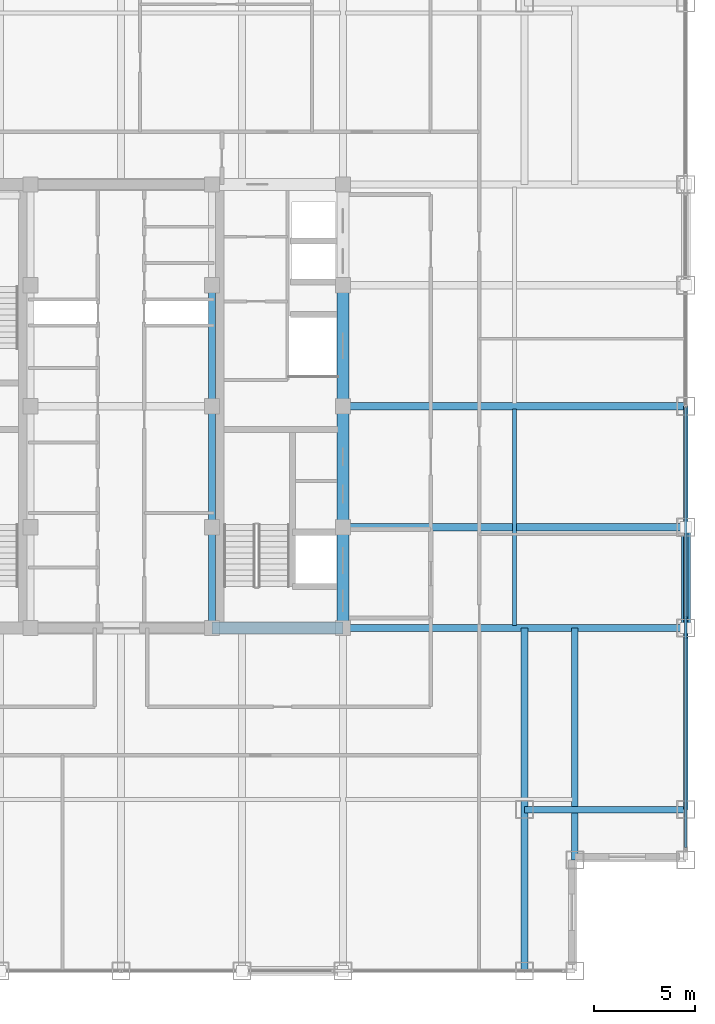
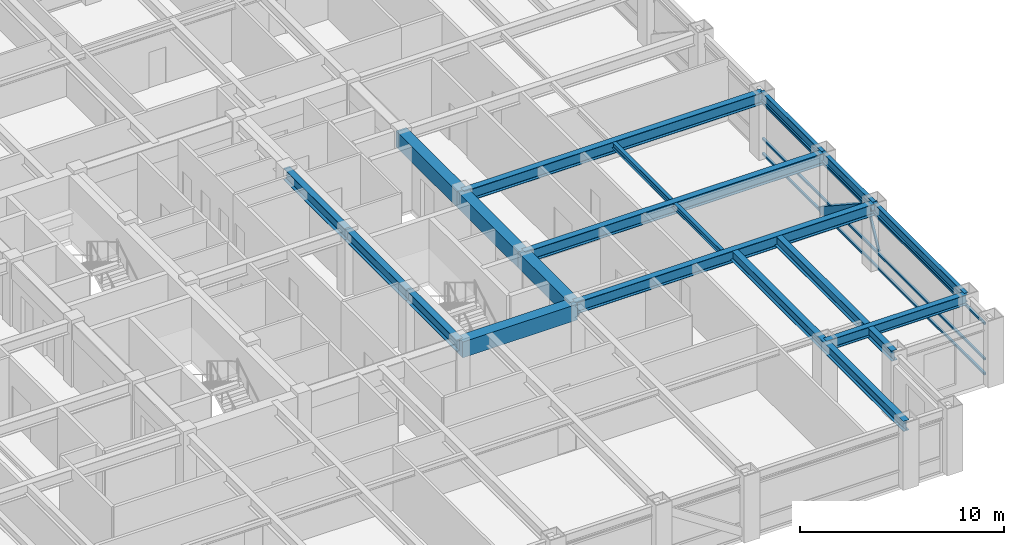
# One storey, part 9 of 22: 17 beams, 5 members, 1 element without a shape of its own.
"""IFC4 building model written with IfcOpenShell, lengths in metres."""

import ifcopenshell
import ifcopenshell.guid

model = None  # the IFC model being written
_history = None  # IfcOwnerHistory: only IFC2X3 demands one
_inside = {}  # id of a spatial element -> (the spatial element, [elements in it])
_under = {}  # id of a project, library or spatial element -> (it, [spatial elements below it])
_declared = {}  # id of a project -> (the project, [libraries it declares])
_typed = {}  # id of a type object -> (the type object, [elements of that type])
_made_of = {}  # id of a material, layer set ... -> (it, [elements and type objects made of it])


def new_model(schema):
    """Start an empty IFC model of exactly this schema.

    Asked for "IFC4X3", IfcOpenShell would pick the latest addendum, in which some entities
    have other attributes; the version numbers below select the first issue.
    IFC2X3 requires an IfcOwnerHistory on every rooted entity: one is made here for all.
    """
    global model, _history
    if schema == "IFC4X3":
        model = ifcopenshell.file(schema_version=(4, 3, 0, 0))
    else:
        model = ifcopenshell.file(schema=schema)
    _inside.clear()
    _under.clear()
    _declared.clear()
    _typed.clear()
    _made_of.clear()
    _history = None
    if model.schema == "IFC2X3":
        org = make("IfcOrganization", Name="unknown")
        user = make(
            "IfcPersonAndOrganization",
            ThePerson=make("IfcPerson", FamilyName="unknown"),
            TheOrganization=org,
        )
        app = make(
            "IfcApplication",
            ApplicationDeveloper=org,
            Version="unknown",
            ApplicationFullName="unknown",
            ApplicationIdentifier="unknown",
        )
        _history = make(
            "IfcOwnerHistory",
            OwningUser=user,
            OwningApplication=app,
            ChangeAction="ADDED",
            CreationDate=0,
        )
    return model


def make(cls, **values):
    """One entity of the class cls with the attributes given. An attribute that is None is left unset."""
    return model.create_entity(
        cls, **{name: value for name, value in values.items() if value is not None}
    )


def rooted(cls, **values):
    """An entity with a GlobalId (a new one), such as an element, a storey or a relation."""
    return make(cls, GlobalId=ifcopenshell.guid.new(), OwnerHistory=_history, **values)


def si_unit(unit_type, name, prefix=None):
    """IfcSIUnit, for example si_unit("LENGTHUNIT", "METRE", prefix="MILLI")."""
    return make("IfcSIUnit", UnitType=unit_type, Prefix=prefix, Name=name)


def assignment(units):
    """IfcUnitAssignment: the units of a project."""
    return None if units is None else make("IfcUnitAssignment", Units=units)


def point(xyz):
    """IfcCartesianPoint."""
    return None if xyz is None else make("IfcCartesianPoint", Coordinates=xyz)


def direction(xyz):
    """IfcDirection."""
    return None if xyz is None else make("IfcDirection", DirectionRatios=xyz)


def frame(location, z_axis=None, x_axis=None):
    """IfcAxis2Placement3D, a coordinate frame: its origin and axes. An axis left out is left unset."""
    return make(
        "IfcAxis2Placement3D",
        Location=point(location),
        Axis=direction(z_axis),
        RefDirection=direction(x_axis),
    )


def frame_2d(location, x_axis=None):
    """IfcAxis2Placement2D, a coordinate frame in the plane: its origin and x axis."""
    return make(
        "IfcAxis2Placement2D", Location=point(location), RefDirection=direction(x_axis)
    )


def origin():
    """The frame at (0, 0, 0) with its axes left unset."""
    return frame((0.0, 0.0, 0.0))


def origin_2d():
    """The frame at (0, 0) in the plane with its x axis left unset."""
    return frame_2d((0.0, 0.0))


def place(relative_to, where):
    """IfcLocalPlacement: puts the frame where relative to a parent placement (None: the world)."""
    return make(
        "IfcLocalPlacement", PlacementRelTo=relative_to, RelativePlacement=where
    )


def context(
    kind, dimensions, precision=None, world=None, true_north=None, identifier=None
):
    """IfcGeometricRepresentationContext, for example the 3D "Model" context."""
    return make(
        "IfcGeometricRepresentationContext",
        ContextIdentifier=identifier,
        ContextType=kind,
        CoordinateSpaceDimension=dimensions,
        Precision=precision,
        WorldCoordinateSystem=world,
        TrueNorth=true_north,
    )


def subcontext(parent, identifier, kind, view, scale=None):
    """IfcGeometricRepresentationSubContext, for example "Body" below "Model"."""
    return make(
        "IfcGeometricRepresentationSubContext",
        ContextIdentifier=identifier,
        ContextType=kind,
        ParentContext=parent,
        TargetScale=scale,
        TargetView=view,
    )


def project(units=None, contexts=None):
    """IfcProject with its units and contexts."""
    return rooted(
        "IfcProject",
        Name="project",
        RepresentationContexts=contexts,
        UnitsInContext=assignment(units),
    )


def spatial(cls, under=None, at=None, **own):
    """A site, building, storey or space (cls), placed at a placement, below another one or the project."""
    s = rooted(cls, ObjectPlacement=at, **own)
    if under is not None:
        _under.setdefault(under.id(), (under, []))[1].append(s)
    return s


def profile(cls, at=None, kind="AREA", **sizes):
    """A parametric profile (cls). Its sizes go by their IFC names, for example OverallWidth=200.0."""
    return make(cls, ProfileType=kind, Position=at, **sizes)


def rectangle(**sizes):
    """IfcRectangleProfileDef."""
    return profile("IfcRectangleProfileDef", **sizes)


def hollow_rectangle(**sizes):
    """IfcRectangleHollowProfileDef."""
    return profile("IfcRectangleHollowProfileDef", **sizes)


def i_section(**sizes):
    """IfcIShapeProfileDef."""
    return profile("IfcIShapeProfileDef", **sizes)


def extrude(swept, where, along, depth):
    """IfcExtrudedAreaSolid: the profile swept, set in the frame where, extruded along a direction by depth."""
    return make(
        "IfcExtrudedAreaSolid",
        SweptArea=swept,
        Position=where,
        ExtrudedDirection=direction(along),
        Depth=depth,
    )


def shape(context_of_items, identifier, shape_type, items):
    """IfcShapeRepresentation: the items that make up one representation, for example the "Body"."""
    return make(
        "IfcShapeRepresentation",
        ContextOfItems=context_of_items,
        RepresentationIdentifier=identifier,
        RepresentationType=shape_type,
        Items=items,
    )


def source(mapping_origin, context_of_items, identifier, shape_type, items):
    """IfcRepresentationMap: a shape defined once, which mapped items show again and again."""
    return make(
        "IfcRepresentationMap",
        MappingOrigin=mapping_origin,
        MappedRepresentation=shape(context_of_items, identifier, shape_type, items),
    )


def transform(
    local_origin,
    x_axis=None,
    y_axis=None,
    z_axis=None,
    scale=None,
    scale2=None,
    scale3=None,
    uniform=True,
):
    """IfcCartesianTransformationOperator3D, or its non-uniform kind. x_axis, y_axis, z_axis: its Axis1, 2, 3."""
    if uniform:
        return make(
            "IfcCartesianTransformationOperator3D",
            Axis1=direction(x_axis),
            Axis2=direction(y_axis),
            LocalOrigin=point(local_origin),
            Scale=scale,
            Axis3=direction(z_axis),
        )
    return make(
        "IfcCartesianTransformationOperator3DnonUniform",
        Axis1=direction(x_axis),
        Axis2=direction(y_axis),
        LocalOrigin=point(local_origin),
        Scale=scale,
        Axis3=direction(z_axis),
        Scale2=scale2,
        Scale3=scale3,
    )


def mapped(mapping_source, mapping_target):
    """IfcMappedItem: shows the shape of a source again, moved by a transform."""
    return make(
        "IfcMappedItem", MappingSource=mapping_source, MappingTarget=mapping_target
    )


def material(Name=None, Category=None):
    """IfcMaterial."""
    return make("IfcMaterial", Name=Name, Category=Category)


def material_profile(
    of_material, cross_section, Name=None, Category=None, Priority=None
):
    """IfcMaterialProfile: a cross section and its material."""
    return make(
        "IfcMaterialProfile",
        Name=Name,
        Material=of_material,
        Profile=cross_section,
        Priority=Priority,
        Category=Category,
    )


def profile_set(profiles, Name=None, composite=None):
    """IfcMaterialProfileSet."""
    return make(
        "IfcMaterialProfileSet",
        Name=Name,
        MaterialProfiles=profiles,
        CompositeProfile=composite,
    )


def made_of(thing, what):
    """Note that an element or type object is made of a material, layer set ...; save() writes the relation."""
    if what is not None:
        _made_of.setdefault(what.id(), (what, []))[1].append(thing)
    return thing


def type_object(cls, material=None, **own):
    """A type object (cls), such as IfcWallType, which elements share."""
    return made_of(rooted(cls, **own), material)


def element(
    cls,
    number,
    at=None,
    inside=None,
    cuts=None,
    type_object=None,
    material=None,
    context=None,
    identifier="Body",
    shape_type=None,
    held_by="IfcProductDefinitionShape",
    body=None,
    shapes=None,
    **own,
):
    """One element of the class cls, such as IfcWall. Its Tag is "e" and its number.

    at: its placement. inside: the storey or other place that contains it. cuts: it is an
    opening in that element (IfcRelVoidsElement). A single representation is given by context,
    identifier, shape_type and body (its items); several are given by shapes. held_by: the class
    of the entity that holds the representations. save() writes the other relations.
    """
    e = rooted(cls, Tag="e%d" % number, ObjectPlacement=at, **own)
    if body is not None:
        shapes = [shape(context, identifier, shape_type, body)]
    if shapes is not None:
        e.Representation = make(held_by, Representations=shapes)
    if inside is not None:
        _inside.setdefault(inside.id(), (inside, []))[1].append(e)
    if cuts is not None:
        rooted(
            "IfcRelVoidsElement", RelatingBuildingElement=cuts, RelatedOpeningElement=e
        )
    if type_object is not None:
        _typed.setdefault(type_object.id(), (type_object, []))[1].append(e)
    return made_of(e, material)


def aggregate(whole, parts):
    """IfcRelAggregates: a whole, such as a stair, and the parts it consists of."""
    return rooted("IfcRelAggregates", RelatingObject=whole, RelatedObjects=parts)


def save(model, path):
    """Write the relations noted so far, then the file.

    IfcRelAggregates (storeys below a building ...), IfcRelContainedInSpatialStructure (elements
    in a storey), IfcRelDefinesByType, IfcRelAssociatesMaterial and IfcRelDeclares: one each for
    every whole, place, type object, material and project.
    """
    for whole, parts in _under.values():
        aggregate(whole, parts)
    for where, things in _inside.values():
        rooted(
            "IfcRelContainedInSpatialStructure",
            RelatedElements=things,
            RelatingStructure=where,
        )
    for kind, things in _typed.values():
        rooted("IfcRelDefinesByType", RelatedObjects=things, RelatingType=kind)
    for what, things in _made_of.values():
        rooted("IfcRelAssociatesMaterial", RelatedObjects=things, RelatingMaterial=what)
    for by, libraries in _declared.values():
        rooted("IfcRelDeclares", RelatingContext=by, RelatedDefinitions=libraries)
    model.write(path)


model = new_model("IFC4")

# Units and contexts
model_context = context("Model", 3, precision=1e-05, world=origin(), true_north=direction((0.0, 1.0)))
body_context = subcontext(model_context, "Body", "Model", "MODEL_VIEW")
ifc_project = project(units=[si_unit("LENGTHUNIT", "METRE"), si_unit("AREAUNIT", "SQUARE_METRE"), si_unit("VOLUMEUNIT", "CUBIC_METRE"), si_unit("PLANEANGLEUNIT", "RADIAN"), si_unit("MASSUNIT", "GRAM", prefix="KILO")], contexts=[model_context])

# Site, building, storey
site_placement = place(None, origin())
site = spatial("IfcSite", under=ifc_project, at=site_placement, CompositionType="ELEMENT")
building_placement = place(site_placement, origin())
building = spatial("IfcBuilding", under=site, at=building_placement, Name="Khorayat Bourse Tower", CompositionType="ELEMENT")
storey_placement = place(building_placement, frame((0.0, 0.0, 305.5)))
storey = spatial("IfcBuildingStorey", under=building, at=storey_placement, Name="L72", CompositionType="ELEMENT", Elevation=305.5)

# Beams
ifc_material_1 = material(Name="Steel ASTM A992 Grade 50", Category="steel")
ifc_material_profile_1 = material_profile(ifc_material_1, i_section(OverallWidth=0.35498046875, OverallDepth=0.695068359375, WebThickness=0.015380859375, FlangeThickness=0.02490234375, FilletRadius=0.01806640625, at=origin_2d()), Name="W690X217")
ifc_profile_set_1 = profile_set([ifc_material_profile_1], Name="Steel ASTM A992 Grade 50")
beam_type_1 = type_object("IfcBeamType", Name="BM-GIRD-690", PredefinedType="BEAM", material=ifc_profile_set_1)
shared_shape_1 = source(origin(), body_context, "Body", "SweptSolid", [
    extrude(i_section(OverallWidth=0.35498046875, OverallDepth=0.695068359375, WebThickness=0.015380859375, FlangeThickness=0.02490234375, FilletRadius=0.01806640625, at=origin_2d()), origin(), (0.0, 0.0, 1.0), 5.0),
])
beam_1_placement = place(storey_placement, frame((4.5, -11.0, 3.4326171875), z_axis=(0.0, 1.0, 0.0), x_axis=(-1.0, 0.0, 0.0)))
element("IfcBeam", 1, at=beam_1_placement, inside=storey, type_object=beam_type_1, Name="L72 BM-GIRD-690 BM-L72-CRX-09", PredefinedType="BEAM", context=body_context, shape_type="MappedRepresentation", body=[
    mapped(shared_shape_1, transform((0.0, 0.0, 0.0), scale=1.0)),
])
shared_shape_2 = source(origin(), body_context, "Body", "SweptSolid", [
    extrude(i_section(OverallWidth=0.35498046875, OverallDepth=0.695068359375, WebThickness=0.015380859375, FlangeThickness=0.02490234375, FilletRadius=0.01806640625, at=origin_2d()), origin(), (0.0, 0.0, 1.0), 6.0),
])
for number, where, z_axis, x_axis, name in (
    (2, (4.5, -6.0, 3.4326171875), (0.0, 1.0, 0.0), (-1.0, 0.0, 0.0), "L72 BM-GIRD-690 BM-L72-CRX-10"),
    (3, (4.5, 0.0, 3.4326171875), (0.0, 1.0, 0.0), (-1.0, 0.0, 0.0), "L72 BM-GIRD-690 BM-L72-CRX-11"),
):
    element("IfcBeam", number, at=place(storey_placement, frame(where, z_axis=z_axis, x_axis=x_axis)), inside=storey, type_object=beam_type_1, Name=name, PredefinedType="BEAM", context=body_context, shape_type="MappedRepresentation", body=[
        mapped(shared_shape_2, transform((0.0, 0.0, 0.0), scale=1.0)),
    ])
ifc_material_profile_2 = material_profile(ifc_material_1, i_section(OverallWidth=0.324951171875, OverallDepth=0.615966796875, WebThickness=0.013916015625, FlangeThickness=0.021484375, FilletRadius=0.01611328125, at=origin_2d()), Name="W610X174")
ifc_profile_set_2 = profile_set([ifc_material_profile_2], Name="Steel ASTM A992 Grade 50")
beam_type_2 = type_object("IfcBeamType", Name="BM-GIRD-610", PredefinedType="BEAM", material=ifc_profile_set_2)
shared_shape_3 = source(origin(), body_context, "Body", "SweptSolid", [
    extrude(i_section(OverallWidth=0.324951171875, OverallDepth=0.615966796875, WebThickness=0.013916015625, FlangeThickness=0.021484375, FilletRadius=0.01611328125, at=origin_2d()), origin(), (0.0, 0.0, 1.0), 17.0),
])
beam_2_placement = place(storey_placement, frame((20.0, -28.0, 3.471923828125), z_axis=(0.0, 1.0, 0.0), x_axis=(-1.0, 0.0, 0.0)))
element("IfcBeam", 4, at=beam_2_placement, inside=storey, type_object=beam_type_2, Name="L72 BM-GIRD-610 BM-L72-CNRY-086", PredefinedType="BEAM", context=body_context, shape_type="MappedRepresentation", body=[
    mapped(shared_shape_3, transform((0.0, 0.0, 0.0), scale=1.0)),
])
ifc_material_2 = material(Name="Concrete C60/75", Category="concrete")
ifc_material_profile_3 = material_profile(ifc_material_2, rectangle(XDim=0.60009765625, YDim=0.949951171875, at=origin_2d()), Name="RC 600x950")
ifc_profile_set_3 = profile_set([ifc_material_profile_3], Name="Concrete C60/75")
beam_type_3 = type_object("IfcBeamType", Name="BM-COUP-950", PredefinedType="BEAM", material=ifc_profile_set_3)
shared_shape_4 = source(origin(), body_context, "Body", "SweptSolid", [
    extrude(rectangle(XDim=0.60009765625, YDim=0.949951171875, at=origin_2d()), origin(), (0.0, 0.0, 1.0), 5.0),
])
beam_3_placement = place(storey_placement, frame((11.0, -11.0, 3.304931640625), z_axis=(0.0, 1.0, 0.0), x_axis=(-1.0, 0.0, 0.0)))
element("IfcBeam", 5, at=beam_3_placement, inside=storey, type_object=beam_type_3, Name="L72 BM-COUP-950 BM-L72-CRX-13", PredefinedType="BEAM", context=body_context, shape_type="MappedRepresentation", body=[
    mapped(shared_shape_4, transform((0.0, 0.0, 0.0), scale=1.0)),
])
shared_shape_5 = source(origin(), body_context, "Body", "SweptSolid", [
    extrude(rectangle(XDim=0.60009765625, YDim=0.949951171875, at=origin_2d()), origin(), (0.0, 0.0, 1.0), 6.0),
])
for number, where, z_axis, x_axis, name in (
    (6, (11.0, -6.0, 3.304931640625), (0.0, 1.0, 0.0), (-1.0, 0.0, 0.0), "L72 BM-COUP-950 BM-L72-CRX-14"),
    (7, (11.0, 0.0, 3.304931640625), (0.0, 1.0, 0.0), (-1.0, 0.0, 0.0), "L72 BM-COUP-950 BM-L72-CRX-15"),
):
    element("IfcBeam", number, at=place(storey_placement, frame(where, z_axis=z_axis, x_axis=x_axis)), inside=storey, type_object=beam_type_3, Name=name, PredefinedType="BEAM", context=body_context, shape_type="MappedRepresentation", body=[
        mapped(shared_shape_5, transform((0.0, 0.0, 0.0), scale=1.0)),
    ])
shared_shape_6 = source(origin(), body_context, "Body", "SweptSolid", [
    extrude(rectangle(XDim=0.60009765625, YDim=0.949951171875, at=origin_2d()), origin(), (0.0, 0.0, 1.0), 6.5),
])
beam_4_placement = place(storey_placement, frame((4.5, -11.0, 3.304931640625), z_axis=(1.0, 0.0, 0.0), x_axis=(0.0, 1.0, 0.0)))
element("IfcBeam", 8, at=beam_4_placement, inside=storey, type_object=beam_type_3, Name="L72 BM-COUP-950 BM-L72-CRY-19", PredefinedType="BEAM", context=body_context, shape_type="MappedRepresentation", body=[
    mapped(shared_shape_6, transform((0.0, 0.0, 0.0), scale=1.0)),
])

# Member
ifc_material_3 = material(Name="Steel EN 10025-4 S460M", Category="steel")
ifc_material_profile_4 = material_profile(ifc_material_3, hollow_rectangle(XDim=0.449951171875, YDim=0.449951171875, WallThickness=0.02490234375, at=origin_2d()), Name="HSS 450x450x25")
ifc_profile_set_4 = profile_set([ifc_material_profile_4], Name="Steel EN 10025-4 S460M")
member_type_1 = type_object("IfcMemberType", Name="MBR-TUBE-450", PredefinedType="BRACE", material=ifc_profile_set_4)
shared_shape_7 = source(origin(), body_context, "Body", "SweptSolid", [
    extrude(hollow_rectangle(XDim=0.449951171875, YDim=0.449951171875, WallThickness=0.02490234375, at=origin_2d()), origin(), (0.0, 0.0, 1.0), 5.979736328125),
])
member_1_placement = place(storey_placement, frame((28.0, -11.0, 3.530029296875), z_axis=(0.0, 0.836141536525, -0.548513747227), x_axis=(-1.0, 0.0, 0.0)))
element("IfcMember", 9, at=member_1_placement, inside=storey, type_object=member_type_1, Name="L72 Perimeter Tube Brace 07", PredefinedType="BRACE", context=body_context, shape_type="MappedRepresentation", body=[
    mapped(shared_shape_7, transform((0.0, 0.0, 0.0), scale=1.0)),
])

# Beams
shared_shape_8 = source(origin(), body_context, "Body", "SweptSolid", [
    extrude(i_section(OverallWidth=0.35498046875, OverallDepth=0.695068359375, WebThickness=0.015380859375, FlangeThickness=0.02490234375, FilletRadius=0.01806640625, at=origin_2d()), origin(), (0.0, 0.0, 1.0), 17.0),
])
for number, where, z_axis, x_axis, name in (
    (10, (11.0, -11.0, 3.4326171875), (1.0, 0.0, 0.0), (0.0, 1.0, 0.0), "L72 BM-GIRD-690 BM-L72-RADX-074"),
    (11, (11.0, -6.0, 3.4326171875), (1.0, 0.0, 0.0), (0.0, 1.0, 0.0), "L72 BM-GIRD-690 BM-L72-RADX-076"),
    (12, (11.0, 0.0, 3.4326171875), (1.0, 0.0, 0.0), (0.0, 1.0, 0.0), "L72 BM-GIRD-690 BM-L72-RADX-078"),
):
    element("IfcBeam", number, at=place(storey_placement, frame(where, z_axis=z_axis, x_axis=x_axis)), inside=storey, type_object=beam_type_1, Name=name, PredefinedType="BEAM", context=body_context, shape_type="MappedRepresentation", body=[
        mapped(shared_shape_8, transform((0.0, 0.0, 0.0), scale=1.0)),
    ])
shared_shape_9 = source(origin(), body_context, "Body", "SweptSolid", [
    extrude(i_section(OverallWidth=0.324951171875, OverallDepth=0.615966796875, WebThickness=0.013916015625, FlangeThickness=0.021484375, FilletRadius=0.01611328125, at=origin_2d()), origin(), (0.0, 0.0, 1.0), 11.5),
])
beam_5_placement = place(storey_placement, frame((22.5, -22.5, 3.471923828125), z_axis=(0.0, 1.0, 0.0), x_axis=(-1.0, 0.0, 0.0)))
element("IfcBeam", 13, at=beam_5_placement, inside=storey, type_object=beam_type_2, Name="L72 BM-GIRD-610 BM-L72-CNRY-090", PredefinedType="BEAM", context=body_context, shape_type="MappedRepresentation", body=[
    mapped(shared_shape_9, transform((0.0, 0.0, 0.0), scale=1.0)),
])
shared_shape_10 = source(origin(), body_context, "Body", "SweptSolid", [
    extrude(i_section(OverallWidth=0.324951171875, OverallDepth=0.615966796875, WebThickness=0.013916015625, FlangeThickness=0.021484375, FilletRadius=0.01611328125, at=origin_2d()), origin(), (0.0, 0.0, 1.0), 8.0),
])
beam_6_placement = place(storey_placement, frame((20.0, -20.0, 3.471923828125), z_axis=(1.0, 0.0, 0.0), x_axis=(0.0, 1.0, 0.0)))
element("IfcBeam", 14, at=beam_6_placement, inside=storey, type_object=beam_type_2, Name="L72 BM-GIRD-610 BM-L72-CNRX-092", PredefinedType="BEAM", context=body_context, shape_type="MappedRepresentation", body=[
    mapped(shared_shape_10, transform((0.0, 0.0, 0.0), scale=1.0)),
])
ifc_material_profile_5 = material_profile(ifc_material_1, i_section(OverallWidth=0.202880859375, OverallDepth=0.346923828125, WebThickness=0.0078125, FlangeThickness=0.013427734375, FilletRadius=0.010009765625, at=origin_2d()), Name="W360X64")
ifc_profile_set_5 = profile_set([ifc_material_profile_5], Name="Steel ASTM A992 Grade 50")
beam_type_4 = type_object("IfcBeamType", Name="BM-JOIST-360", PredefinedType="JOIST", material=ifc_profile_set_5)
shared_shape_11 = source(origin(), body_context, "Body", "SweptSolid", [
    extrude(i_section(OverallWidth=0.202880859375, OverallDepth=0.346923828125, WebThickness=0.0078125, FlangeThickness=0.013427734375, FilletRadius=0.010009765625, at=origin_2d()), origin(), (0.0, 0.0, 1.0), 10.740234375),
])
beam_7_placement = place(storey_placement, frame((19.5, -10.8701171875, 3.6064453125), z_axis=(0.0, 1.0, 0.0), x_axis=(-1.0, 0.0, 0.0)))
element("IfcBeam", 15, at=beam_7_placement, inside=storey, type_object=beam_type_4, Name="L72 BM-JOIST-360 BM-L72-JSTY-104", PredefinedType="JOIST", context=body_context, shape_type="MappedRepresentation", body=[
    mapped(shared_shape_11, transform((0.0, 0.0, 0.0), scale=1.0)),
])
ifc_material_profile_6 = material_profile(ifc_material_1, i_section(OverallWidth=0.214111328125, OverallDepth=0.549072265625, WebThickness=0.0146484375, FlangeThickness=0.023681640625, FilletRadius=0.013916015625, at=origin_2d()), Name="W530X138")
ifc_profile_set_6 = profile_set([ifc_material_profile_6], Name="Steel ASTM A992 Grade 50")
beam_type_5 = type_object("IfcBeamType", Name="BM-SPAN-530", PredefinedType="SPANDREL", material=ifc_profile_set_6)
shared_shape_12 = source(origin(), body_context, "Body", "SweptSolid", [
    extrude(i_section(OverallWidth=0.214111328125, OverallDepth=0.549072265625, WebThickness=0.0146484375, FlangeThickness=0.023681640625, FilletRadius=0.013916015625, at=origin_2d()), origin(), (0.0, 0.0, 1.0), 9.0),
])
beam_8_placement = place(storey_placement, frame((28.0, -20.0, 3.505615234375), z_axis=(0.0, 1.0, 0.0), x_axis=(-1.0, 0.0, 0.0)))
element("IfcBeam", 16, at=beam_8_placement, inside=storey, type_object=beam_type_5, Name="L72 BM-SPAN-530 BM-L72-SPN-035", PredefinedType="SPANDREL", context=body_context, shape_type="MappedRepresentation", body=[
    mapped(shared_shape_12, transform((0.0, 0.0, 0.0), scale=1.0)),
])
shared_shape_13 = source(origin(), body_context, "Body", "SweptSolid", [
    extrude(i_section(OverallWidth=0.214111328125, OverallDepth=0.549072265625, WebThickness=0.0146484375, FlangeThickness=0.023681640625, FilletRadius=0.013916015625, at=origin_2d()), origin(), (0.0, 0.0, 1.0), 5.0),
])
beam_9_placement = place(storey_placement, frame((28.0, -11.0, 3.505615234375), z_axis=(0.0, 1.0, 0.0), x_axis=(-1.0, 0.0, 0.0)))
element("IfcBeam", 17, at=beam_9_placement, inside=storey, type_object=beam_type_5, Name="L72 BM-SPAN-530 BM-L72-SPN-036", PredefinedType="SPANDREL", context=body_context, shape_type="MappedRepresentation", body=[
    mapped(shared_shape_13, transform((0.0, 0.0, 0.0), scale=1.0)),
])
shared_shape_14 = source(origin(), body_context, "Body", "SweptSolid", [
    extrude(i_section(OverallWidth=0.214111328125, OverallDepth=0.549072265625, WebThickness=0.0146484375, FlangeThickness=0.023681640625, FilletRadius=0.013916015625, at=origin_2d()), origin(), (0.0, 0.0, 1.0), 6.0),
])
beam_10_placement = place(storey_placement, frame((28.0, -6.0, 3.505615234375), z_axis=(0.0, 1.0, 0.0), x_axis=(-1.0, 0.0, 0.0)))
element("IfcBeam", 18, at=beam_10_placement, inside=storey, type_object=beam_type_5, Name="L72 BM-SPAN-530 BM-L72-SPN-037", PredefinedType="SPANDREL", context=body_context, shape_type="MappedRepresentation", body=[
    mapped(shared_shape_14, transform((0.0, 0.0, 0.0), scale=1.0)),
])

# Curtain wall, members
ifc_material_4 = material(Name="Aluminium EN AW-6063 T6", Category="aluminium")
curtain_wall_type = type_object("IfcCurtainWallType", Name="CW-SYS-04", PredefinedType="NOTDEFINED", material=ifc_material_4)
curtain_wall_placement = place(storey_placement, origin())
curtain_wall = element("IfcCurtainWall", 19, at=curtain_wall_placement, inside=storey, type_object=curtain_wall_type, Name="L72 Curtain Wall CW-L72-E1", PredefinedType="NOTDEFINED")
ifc_material_profile_7 = material_profile(ifc_material_4, hollow_rectangle(XDim=0.1201171875, YDim=0.1201171875, WallThickness=0.0048828125, at=origin_2d()), Name="ALU 120x120x5")
ifc_profile_set_7 = profile_set([ifc_material_profile_7], Name="Aluminium EN AW-6063 T6")
member_type_2 = type_object("IfcMemberType", Name="CWM-DIAG-120", PredefinedType="MULLION", material=ifc_profile_set_7)
shared_shape_15 = source(origin(), body_context, "Body", "SweptSolid", [
    extrude(hollow_rectangle(XDim=0.1201171875, YDim=0.1201171875, WallThickness=0.0048828125, at=origin_2d()), origin(), (0.0, 0.0, 1.0), 2.0791015625),
])
member_2_placement = place(storey_placement, frame((28.0, -11.4541015625, 1.090087890625), z_axis=(0.0, 0.465717394116, 0.884933505309), x_axis=(-1.0, 0.0, 0.0)))
member_2 = element("IfcMember", 20, at=member_2_placement, type_object=member_type_2, Name="CW-L72-E1 Faceted Diagonal Mullion 1", PredefinedType="MULLION", context=body_context, shape_type="MappedRepresentation", body=[
    mapped(shared_shape_15, transform((0.0, 0.0, 0.0), scale=1.0)),
])
ifc_material_profile_8 = material_profile(ifc_material_4, hollow_rectangle(XDim=0.1201171875, YDim=0.1201171875, WallThickness=0.0048828125, at=origin_2d()), Name="ALU 120x120x5")
ifc_profile_set_8 = profile_set([ifc_material_profile_8], Name="Aluminium EN AW-6063 T6")
member_type_3 = type_object("IfcMemberType", Name="CWT-HORZ-120", PredefinedType="USERDEFINED", material=ifc_profile_set_8)
shared_shape_16 = source(origin(), body_context, "Body", "SweptSolid", [
    extrude(hollow_rectangle(XDim=0.1201171875, YDim=0.1201171875, WallThickness=0.0048828125, at=origin_2d()), origin(), (0.0, 0.0, 1.0), 21.81982421875),
])
member_3_placement = place(storey_placement, frame((28.0, -21.8798828125, 0.06005859375), z_axis=(0.0, 1.0, 0.0), x_axis=(-1.0, 0.0, 0.0)))
member_3 = element("IfcMember", 21, at=member_3_placement, type_object=member_type_3, Name="CW-L72-E1 Horizontal Transom 1-1", ObjectType="TRANSOM", PredefinedType="USERDEFINED", context=body_context, shape_type="MappedRepresentation", body=[
    mapped(shared_shape_16, transform((0.0, 0.0, 0.0), scale=1.0)),
])
member_4_placement = place(storey_placement, frame((28.0, -21.8798828125, 0.949951171875), z_axis=(0.0, 1.0, 0.0), x_axis=(-1.0, 0.0, 0.0)))
member_4 = element("IfcMember", 22, at=member_4_placement, type_object=member_type_3, Name="CW-L72-E1 Horizontal Transom 1-2", ObjectType="TRANSOM", PredefinedType="USERDEFINED", context=body_context, shape_type="MappedRepresentation", body=[
    mapped(shared_shape_16, transform((0.0, 0.0, 0.0), scale=1.0)),
])
member_5_placement = place(storey_placement, frame((28.0, -21.8798828125, 3.070068359375), z_axis=(0.0, 1.0, 0.0), x_axis=(-1.0, 0.0, 0.0)))
member_5 = element("IfcMember", 23, at=member_5_placement, type_object=member_type_3, Name="CW-L72-E1 Horizontal Transom 1-3", ObjectType="TRANSOM", PredefinedType="USERDEFINED", context=body_context, shape_type="MappedRepresentation", body=[
    mapped(shared_shape_16, transform((0.0, 0.0, 0.0), scale=1.0)),
])
aggregate(curtain_wall, [member_3, member_4, member_5, member_2])

save(model, "model.ifc")
